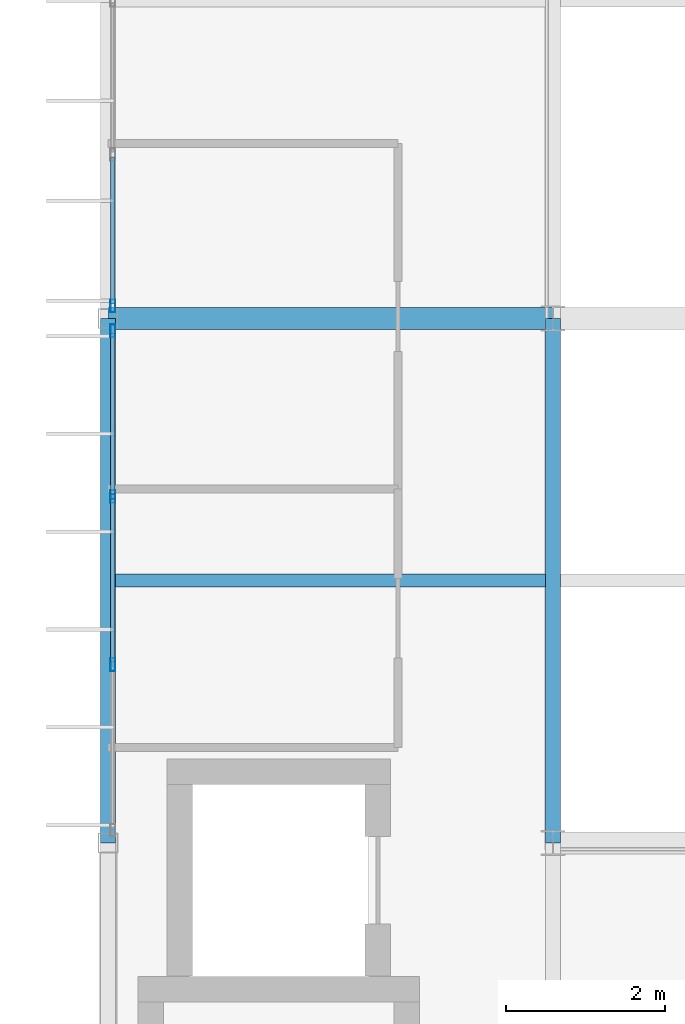
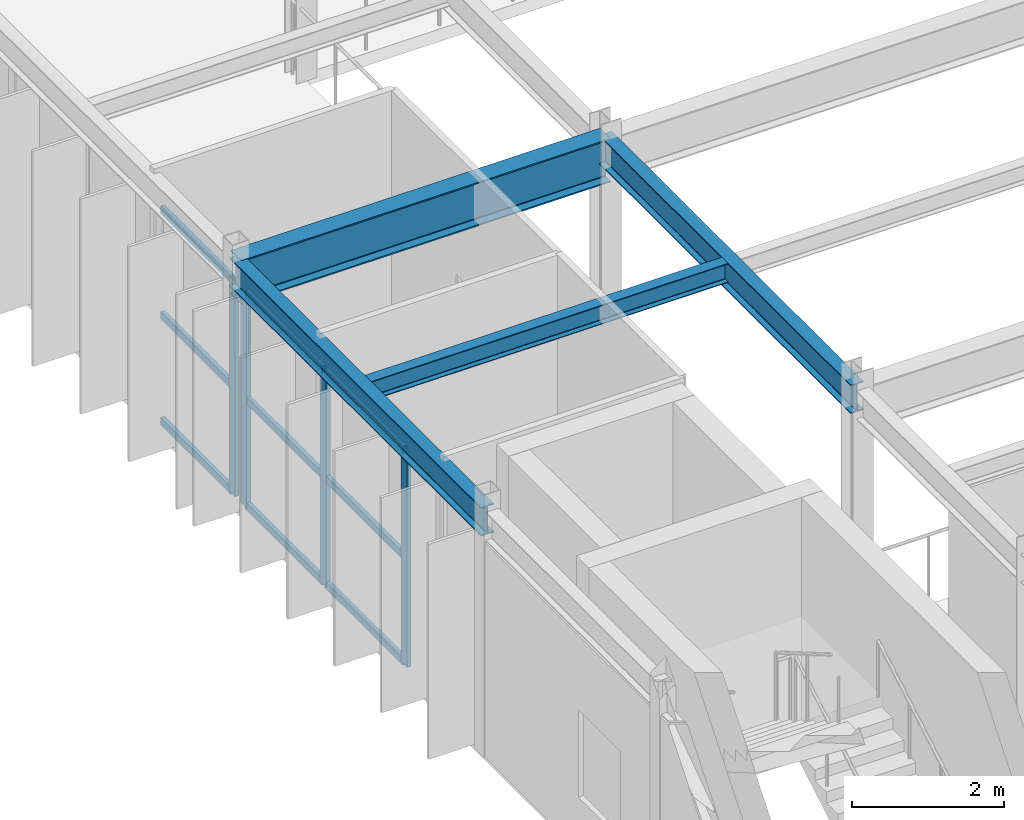
# One storey, part 42 of 157: 13 members, 4 beams, 2 elements without a shape of their own.
"""IFC4 building model written with IfcOpenShell, lengths in metres."""

from ifc_helpers import new_model, si_unit, direction, frame, origin, origin_2d, place, context, subcontext, project, spatial, hollow_rectangle, i_section, extrude, material, material_profile, profile_set, type_object, element, aggregate, save


model = new_model("IFC4")

# Units and contexts
model_context = context("Model", 3, precision=1e-05, world=origin(), true_north=direction((0.0, 1.0)))
body_context = subcontext(model_context, "Body", "Model", "MODEL_VIEW")
ifc_project = project(units=[si_unit("LENGTHUNIT", "METRE"), si_unit("AREAUNIT", "SQUARE_METRE"), si_unit("VOLUMEUNIT", "CUBIC_METRE"), si_unit("PLANEANGLEUNIT", "RADIAN"), si_unit("MASSUNIT", "GRAM", prefix="KILO")], contexts=[model_context])

# Site, building, storey
site_placement = place(None, origin())
site = spatial("IfcSite", under=ifc_project, at=site_placement, CompositionType="ELEMENT")
building_placement = place(site_placement, origin())
building = spatial("IfcBuilding", under=site, at=building_placement, Name="Karori Crest Natural Sciences Institute", CompositionType="ELEMENT")
storey_placement = place(building_placement, frame((0.0, 0.0, 13.300048828125)))
storey = spatial("IfcBuildingStorey", under=building, at=storey_placement, Name="L03", CompositionType="ELEMENT", Elevation=13.300048828125)

# Beams
ifc_material_1 = material(Name="Structural steel AS/NZS 3679.1 Grade 350", Category="steel")
ifc_material_profile_1 = material_profile(ifc_material_1, i_section(OverallWidth=0.27490234375, OverallDepth=0.699951171875, WebThickness=0.010009765625, FlangeThickness=0.02001953125, FilletRadius=0.013916015625, at=origin_2d()), Name="700WB150")
ifc_profile_set_1 = profile_set([ifc_material_profile_1], Name="Structural steel AS/NZS 3679.1 Grade 350")
beam_type_1 = type_object("IfcBeamType", Name="BT-03", PredefinedType="BEAM", material=ifc_profile_set_1)
beam_1_placement = place(storey_placement, frame((1.800048828125, 47.0, 3.570068359375), z_axis=(1.0, 0.0, 0.0), x_axis=(0.0, 1.0, 0.0)))
element("IfcBeam", 1, at=beam_1_placement, inside=storey, type_object=beam_type_1, Name="Beam B-1147", PredefinedType="BEAM", context=body_context, shape_type="SweptSolid", body=[
    extrude(i_section(OverallWidth=0.27490234375, OverallDepth=0.699951171875, WebThickness=0.010009765625, FlangeThickness=0.02001953125, FilletRadius=0.013916015625, at=origin_2d()), origin(), (0.0, 0.0, 1.0), 5.599853515625),
])
ifc_material_profile_2 = material_profile(ifc_material_1, i_section(OverallWidth=0.19091796875, OverallDepth=0.4599609375, WebThickness=0.010009765625, FlangeThickness=0.01611328125, FilletRadius=0.010986328125, at=origin_2d()), Name="460UB82.1")
ifc_profile_set_2 = profile_set([ifc_material_profile_2], Name="Structural steel AS/NZS 3679.1 Grade 350")
beam_type_2 = type_object("IfcBeamType", Name="BT-06", PredefinedType="BEAM", material=ifc_profile_set_2)
beam_2_placement = place(storey_placement, frame((7.39990234375, 40.39990234375, 3.68994140625), z_axis=(0.0, 1.0, 0.0), x_axis=(-1.0, 0.0, 0.0)))
element("IfcBeam", 2, at=beam_2_placement, inside=storey, type_object=beam_type_2, Name="Beam B-1170", PredefinedType="BEAM", context=body_context, shape_type="SweptSolid", body=[
    extrude(i_section(OverallWidth=0.19091796875, OverallDepth=0.4599609375, WebThickness=0.010009765625, FlangeThickness=0.01611328125, FilletRadius=0.010986328125, at=origin_2d()), origin(), (0.0, 0.0, 1.0), 6.60009765625),
])
ifc_material_profile_3 = material_profile(ifc_material_1, i_section(OverallWidth=0.19091796875, OverallDepth=0.4599609375, WebThickness=0.010009765625, FlangeThickness=0.01611328125, FilletRadius=0.010986328125, at=origin_2d()), Name="460UB82.1")
ifc_profile_set_3 = profile_set([ifc_material_profile_3], Name="Structural steel AS/NZS 3679.1 Grade 350")
beam_type_3 = type_object("IfcBeamType", Name="BT-06-EL", PredefinedType="BEAM", material=ifc_profile_set_3)
beam_3_placement = place(storey_placement, frame((1.800048828125, 40.39990234375, 3.68994140625), z_axis=(0.0, 1.0, 0.0), x_axis=(-1.0, 0.0, 0.0)))
element("IfcBeam", 3, at=beam_3_placement, inside=storey, type_object=beam_type_3, Name="Beam B-1163", PredefinedType="BEAM", context=body_context, shape_type="SweptSolid", body=[
    extrude(i_section(OverallWidth=0.19091796875, OverallDepth=0.4599609375, WebThickness=0.010009765625, FlangeThickness=0.01611328125, FilletRadius=0.010986328125, at=origin_2d()), origin(), (0.0, 0.0, 1.0), 6.60009765625),
])
ifc_material_profile_4 = material_profile(ifc_material_1, i_section(OverallWidth=0.166015625, OverallDepth=0.306884765625, WebThickness=0.006591796875, FlangeThickness=0.01171875, FilletRadius=0.010986328125, at=origin_2d()), Name="310UB46.2")
ifc_profile_set_4 = profile_set([ifc_material_profile_4], Name="Structural steel AS/NZS 3679.1 Grade 350")
beam_type_4 = type_object("IfcBeamType", Name="BT-09", PredefinedType="BEAM", material=ifc_profile_set_4)
beam_4_placement = place(storey_placement, frame((1.8955078125, 43.699951171875, 3.766357421875), z_axis=(1.0, 0.0, 0.0), x_axis=(0.0, 1.0, 0.0)))
element("IfcBeam", 4, at=beam_4_placement, inside=storey, type_object=beam_type_4, Name="Beam B-1189", PredefinedType="BEAM", context=body_context, shape_type="SweptSolid", body=[
    extrude(i_section(OverallWidth=0.166015625, OverallDepth=0.306884765625, WebThickness=0.006591796875, FlangeThickness=0.01171875, FilletRadius=0.010986328125, at=origin_2d()), origin(), (0.0, 0.0, 1.0), 5.408935546875),
])

# Curtain wall, members
ifc_material_2 = material(Name="Anodised architectural aluminium 6063-T6", Category="aluminium")
curtain_wall_type = type_object("IfcCurtainWallType", Name="CWT-17", PredefinedType="NOTDEFINED", material=ifc_material_2)
curtain_wall_1_placement = place(storey_placement, origin())
curtain_wall_1 = element("IfcCurtainWall", 5, at=curtain_wall_1_placement, inside=storey, type_object=curtain_wall_type, Name="Curtain wall CW-0278", PredefinedType="NOTDEFINED")
ifc_material_profile_5 = material_profile(ifc_material_2, hollow_rectangle(XDim=0.06494140625, YDim=0.159912109375, WallThickness=0.00390625, at=origin_2d()), Name="CWM160x65x4")
ifc_profile_set_5 = profile_set([ifc_material_profile_5], Name="Anodised architectural aluminium 6063-T6")
member_type_1 = type_object("IfcMemberType", Name="CWM-01", PredefinedType="MULLION", material=ifc_profile_set_5)
member_1_placement = place(storey_placement, frame((1.860107421875, 42.64111328125, 0.0), z_axis=(0.0, 0.0, 1.0), x_axis=(-1.0, 0.0, 0.0)))
member_1 = element("IfcMember", 6, at=member_1_placement, type_object=member_type_1, Name="CW-0278 mullion 2", PredefinedType="MULLION", context=body_context, shape_type="SweptSolid", body=[
    extrude(hollow_rectangle(XDim=0.06494140625, YDim=0.159912109375, WallThickness=0.00390625, at=origin_2d()), origin(), (0.0, 0.0, 1.0), 3.445068359375),
])
member_2_placement = place(storey_placement, frame((1.860107421875, 44.759033203125, 0.0), z_axis=(0.0, 0.0, 1.0), x_axis=(-1.0, 0.0, 0.0)))
member_2 = element("IfcMember", 7, at=member_2_placement, type_object=member_type_1, Name="CW-0278 mullion 3", PredefinedType="MULLION", context=body_context, shape_type="SweptSolid", body=[
    extrude(hollow_rectangle(XDim=0.06494140625, YDim=0.159912109375, WallThickness=0.00390625, at=origin_2d()), origin(), (0.0, 0.0, 1.0), 3.445068359375),
])
member_3_placement = place(storey_placement, frame((1.860107421875, 46.844482421875, 0.0), z_axis=(0.0, 0.0, 1.0), x_axis=(-1.0, 0.0, 0.0)))
member_3 = element("IfcMember", 8, at=member_3_placement, type_object=member_type_1, Name="CW-0278 mullion 4", PredefinedType="MULLION", context=body_context, shape_type="SweptSolid", body=[
    extrude(hollow_rectangle(XDim=0.06494140625, YDim=0.159912109375, WallThickness=0.00390625, at=origin_2d()), origin(), (0.0, 0.0, 1.0), 3.445068359375),
])

# Curtain wall, member
curtain_wall_2_placement = place(storey_placement, origin())
curtain_wall_2 = element("IfcCurtainWall", 9, at=curtain_wall_2_placement, inside=storey, type_object=curtain_wall_type, Name="Curtain wall CW-0279", PredefinedType="NOTDEFINED")
member_4_placement = place(storey_placement, frame((1.860107421875, 47.155517578125, 0.0), z_axis=(0.0, 0.0, 1.0), x_axis=(-1.0, 0.0, 0.0)))
member_4 = element("IfcMember", 10, at=member_4_placement, type_object=member_type_1, Name="CW-0279 mullion 1", PredefinedType="MULLION", context=body_context, shape_type="SweptSolid", body=[
    extrude(hollow_rectangle(XDim=0.06494140625, YDim=0.159912109375, WallThickness=0.00390625, at=origin_2d()), origin(), (0.0, 0.0, 1.0), 3.445068359375),
])

# Member
ifc_material_profile_6 = material_profile(ifc_material_2, hollow_rectangle(XDim=0.06005859375, YDim=0.1201171875, WallThickness=0.00390625, at=origin_2d()), Name="CWT120x60x4")
ifc_profile_set_6 = profile_set([ifc_material_profile_6], Name="Anodised architectural aluminium 6063-T6")
member_type_2 = type_object("IfcMemberType", Name="CWT-TR1", PredefinedType="USERDEFINED", material=ifc_profile_set_6)
member_5_placement = place(storey_placement, frame((1.860107421875, 42.673583984375, 0.030029296875), z_axis=(0.0, 1.0, 0.0), x_axis=(-1.0, 0.0, 0.0)))
member_5 = element("IfcMember", 11, at=member_5_placement, type_object=member_type_2, Name="CW-0278 transom 2.1", ObjectType="TRANSOM", PredefinedType="USERDEFINED", context=body_context, shape_type="SweptSolid", body=[
    extrude(hollow_rectangle(XDim=0.06005859375, YDim=0.1201171875, WallThickness=0.00390625, at=origin_2d()), origin(), (0.0, 0.0, 1.0), 2.052978515625),
])

member_6_placement = place(storey_placement, frame((1.860107421875, 42.673583984375, 1.722412109375), z_axis=(0.0, 1.0, 0.0), x_axis=(-1.0, 0.0, 0.0)))
member_6 = element("IfcMember", 12, at=member_6_placement, type_object=member_type_2, Name="CW-0278 transom 2.2", ObjectType="TRANSOM", PredefinedType="USERDEFINED", context=body_context, shape_type="SweptSolid", body=[
    extrude(hollow_rectangle(XDim=0.06005859375, YDim=0.1201171875, WallThickness=0.00390625, at=origin_2d()), origin(), (0.0, 0.0, 1.0), 2.052978515625),
])

member_7_placement = place(storey_placement, frame((1.860107421875, 42.673583984375, 3.4150390625), z_axis=(0.0, 1.0, 0.0), x_axis=(-1.0, 0.0, 0.0)))
member_7 = element("IfcMember", 13, at=member_7_placement, type_object=member_type_2, Name="CW-0278 transom 2.3", ObjectType="TRANSOM", PredefinedType="USERDEFINED", context=body_context, shape_type="SweptSolid", body=[
    extrude(hollow_rectangle(XDim=0.06005859375, YDim=0.1201171875, WallThickness=0.00390625, at=origin_2d()), origin(), (0.0, 0.0, 1.0), 2.052978515625),
])

member_8_placement = place(storey_placement, frame((1.860107421875, 44.79150390625, 0.030029296875), z_axis=(0.0, 1.0, 0.0), x_axis=(-1.0, 0.0, 0.0)))
member_8 = element("IfcMember", 14, at=member_8_placement, type_object=member_type_2, Name="CW-0278 transom 3.1", ObjectType="TRANSOM", PredefinedType="USERDEFINED", context=body_context, shape_type="SweptSolid", body=[
    extrude(hollow_rectangle(XDim=0.06005859375, YDim=0.1201171875, WallThickness=0.00390625, at=origin_2d()), origin(), (0.0, 0.0, 1.0), 2.0205078125),
])

member_9_placement = place(storey_placement, frame((1.860107421875, 44.79150390625, 1.722412109375), z_axis=(0.0, 1.0, 0.0), x_axis=(-1.0, 0.0, 0.0)))
member_9 = element("IfcMember", 15, at=member_9_placement, type_object=member_type_2, Name="CW-0278 transom 3.2", ObjectType="TRANSOM", PredefinedType="USERDEFINED", context=body_context, shape_type="SweptSolid", body=[
    extrude(hollow_rectangle(XDim=0.06005859375, YDim=0.1201171875, WallThickness=0.00390625, at=origin_2d()), origin(), (0.0, 0.0, 1.0), 2.0205078125),
])

member_10_placement = place(storey_placement, frame((1.860107421875, 44.79150390625, 3.4150390625), z_axis=(0.0, 1.0, 0.0), x_axis=(-1.0, 0.0, 0.0)))
member_10 = element("IfcMember", 16, at=member_10_placement, type_object=member_type_2, Name="CW-0278 transom 3.3", ObjectType="TRANSOM", PredefinedType="USERDEFINED", context=body_context, shape_type="SweptSolid", body=[
    extrude(hollow_rectangle(XDim=0.06005859375, YDim=0.1201171875, WallThickness=0.00390625, at=origin_2d()), origin(), (0.0, 0.0, 1.0), 2.0205078125),
])

aggregate(curtain_wall_1, [member_1, member_2, member_3, member_5, member_6, member_7, member_8, member_9, member_10])

member_11_placement = place(storey_placement, frame((1.860107421875, 47.18798828125, 0.030029296875), z_axis=(0.0, 1.0, 0.0), x_axis=(-1.0, 0.0, 0.0)))
member_11 = element("IfcMember", 17, at=member_11_placement, type_object=member_type_2, Name="CW-0279 transom 1.1", ObjectType="TRANSOM", PredefinedType="USERDEFINED", context=body_context, shape_type="SweptSolid", body=[
    extrude(hollow_rectangle(XDim=0.06005859375, YDim=0.1201171875, WallThickness=0.00390625, at=origin_2d()), origin(), (0.0, 0.0, 1.0), 1.841064453125),
])

member_12_placement = place(storey_placement, frame((1.860107421875, 47.18798828125, 1.722412109375), z_axis=(0.0, 1.0, 0.0), x_axis=(-1.0, 0.0, 0.0)))
member_12 = element("IfcMember", 18, at=member_12_placement, type_object=member_type_2, Name="CW-0279 transom 1.2", ObjectType="TRANSOM", PredefinedType="USERDEFINED", context=body_context, shape_type="SweptSolid", body=[
    extrude(hollow_rectangle(XDim=0.06005859375, YDim=0.1201171875, WallThickness=0.00390625, at=origin_2d()), origin(), (0.0, 0.0, 1.0), 1.841064453125),
])

member_13_placement = place(storey_placement, frame((1.860107421875, 47.18798828125, 3.4150390625), z_axis=(0.0, 1.0, 0.0), x_axis=(-1.0, 0.0, 0.0)))
member_13 = element("IfcMember", 19, at=member_13_placement, type_object=member_type_2, Name="CW-0279 transom 1.3", ObjectType="TRANSOM", PredefinedType="USERDEFINED", context=body_context, shape_type="SweptSolid", body=[
    extrude(hollow_rectangle(XDim=0.06005859375, YDim=0.1201171875, WallThickness=0.00390625, at=origin_2d()), origin(), (0.0, 0.0, 1.0), 1.841064453125),
])

aggregate(curtain_wall_2, [member_4, member_11, member_12, member_13])

save(model, "model.ifc")
